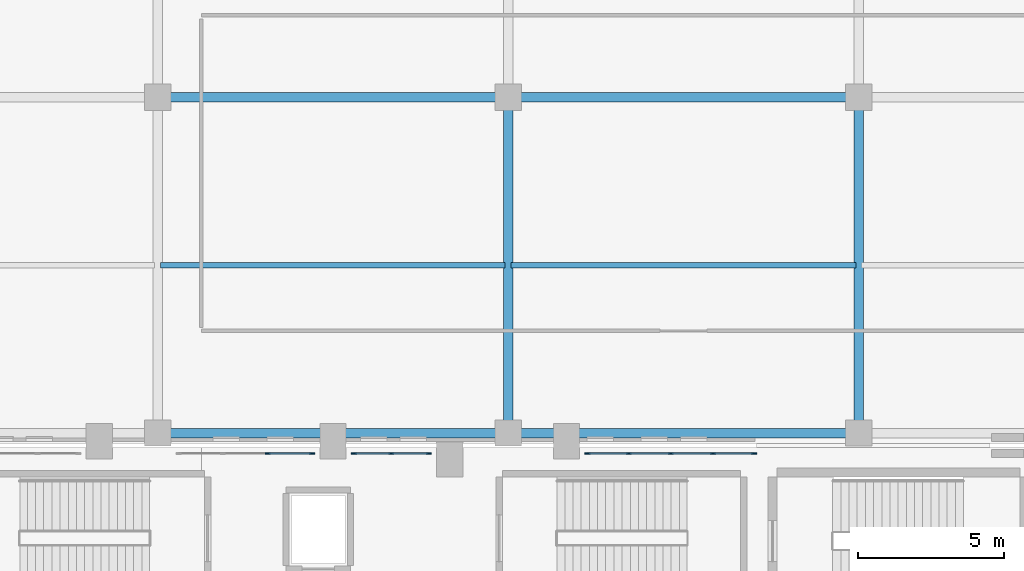
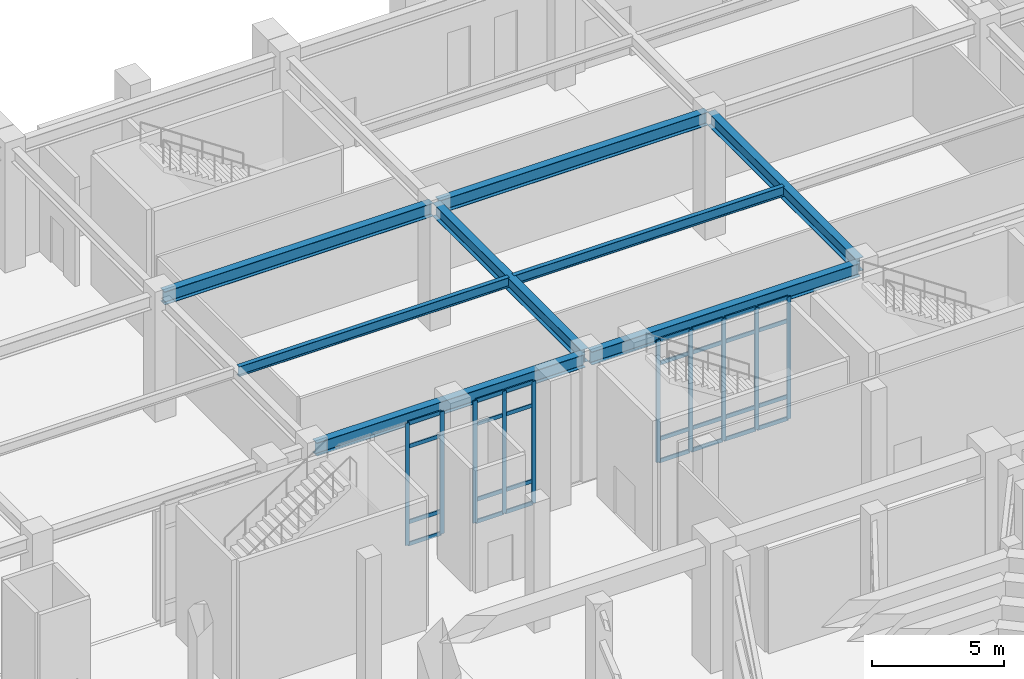
# One storey, part 52 of 143: 38 members, 8 beams, 3 elements without a shape of their own.
"""IFC4 building model written with IfcOpenShell, lengths in metres."""

from ifc_helpers import new_model, si_unit, derived_unit, direction, frame, origin, origin_2d, place, context, subcontext, project, spatial, rectangle, i_section, extrude, material, layer, layer_set, material_profile, profile_set, type_object, element, aggregate, save


model = new_model("IFC4")

# Units and contexts
model_context = context("Model", 3, precision=1e-05, world=origin(), true_north=direction((0.0, 1.0)))
body_context = subcontext(model_context, "Body", "Model", "MODEL_VIEW")
ifc_project = project(units=[si_unit("LENGTHUNIT", "METRE"), si_unit("AREAUNIT", "SQUARE_METRE"), si_unit("VOLUMEUNIT", "CUBIC_METRE"), si_unit("PLANEANGLEUNIT", "RADIAN"), si_unit("MASSUNIT", "GRAM", prefix="KILO"), derived_unit("THERMALTRANSMITTANCEUNIT", [(si_unit("MASSUNIT", "GRAM", prefix="KILO"), 1), (si_unit("TIMEUNIT", "SECOND"), -3), (si_unit("THERMODYNAMICTEMPERATUREUNIT", "KELVIN"), -1)])], contexts=[model_context])

# Site, building, storey
site_placement = place(None, origin())
site = spatial("IfcSite", under=ifc_project, at=site_placement, CompositionType="ELEMENT")
building_placement = place(site_placement, origin())
building = spatial("IfcBuilding", under=site, at=building_placement, Name="Valcora Ridge Arena", CompositionType="ELEMENT")
storey_placement = place(building_placement, origin())
storey = spatial("IfcBuildingStorey", under=building, at=storey_placement, Name="L00", CompositionType="ELEMENT", Elevation=0.0)

# Beams
ifc_material_1 = material(Name="Steel ASTM A572 Grade 50", Category="steel")
ifc_material_profile_1 = material_profile(ifc_material_1, i_section(OverallWidth=0.324951171875, OverallDepth=0.612060546875, WebThickness=0.0126953125, FlangeThickness=0.01904296875, FilletRadius=0.01806640625, at=origin_2d()), Name="W24X104")
ifc_profile_set_1 = profile_set([ifc_material_profile_1], Name="Steel ASTM A572 Grade 50")
beam_type_1 = type_object("IfcBeamType", Name="TY-BEAM-G-W24X104-X", PredefinedType="BEAM", material=ifc_profile_set_1)
for number, where, z_axis, x_axis, name in (
    (1, (60.139892578125, 108.699951171875, 5.333984375), (1.0, 0.0, 0.0), (0.0, 1.0, 0.0), "G-W24X104-X BEM-G-W24X104-X-0007"),
    (2, (72.139892578125, 108.699951171875, 5.333984375), (1.0, 0.0, 0.0), (0.0, 1.0, 0.0), "G-W24X104-X BEM-G-W24X104-X-0008"),
    (3, (60.139892578125, 120.199951171875, 5.333984375), (1.0, 0.0, 0.0), (0.0, 1.0, 0.0), "G-W24X104-X BEM-G-W24X104-X-0021"),
    (4, (72.139892578125, 120.199951171875, 5.333984375), (1.0, 0.0, 0.0), (0.0, 1.0, 0.0), "G-W24X104-X BEM-G-W24X104-X-0022"),
):
    element("IfcBeam", number, at=place(storey_placement, frame(where, z_axis=z_axis, x_axis=x_axis)), inside=storey, type_object=beam_type_1, Name=name, PredefinedType="BEAM", context=body_context, shape_type="SweptSolid", body=[
        extrude(i_section(OverallWidth=0.324951171875, OverallDepth=0.612060546875, WebThickness=0.0126953125, FlangeThickness=0.01904296875, FilletRadius=0.01806640625, at=origin_2d()), origin(), (0.0, 0.0, 1.0), 11.72021484375),
    ])
ifc_material_profile_2 = material_profile(ifc_material_1, i_section(OverallWidth=0.324951171875, OverallDepth=0.612060546875, WebThickness=0.0126953125, FlangeThickness=0.01904296875, FilletRadius=0.01806640625, at=origin_2d()), Name="W24X104")
ifc_profile_set_2 = profile_set([ifc_material_profile_2], Name="Steel ASTM A572 Grade 50")
beam_type_2 = type_object("IfcBeamType", Name="TY-BEAM-G-W24X104-Y", PredefinedType="BEAM", material=ifc_profile_set_2)
for number, where, z_axis, x_axis, name in (
    (5, (72.0, 108.840087890625, 5.333984375), (0.0, 1.0, 0.0), (-1.0, 0.0, 0.0), "G-W24X104-Y BEM-G-W24X104-Y-0008"),
    (6, (84.0, 108.840087890625, 5.333984375), (0.0, 1.0, 0.0), (-1.0, 0.0, 0.0), "G-W24X104-Y BEM-G-W24X104-Y-0010"),
):
    element("IfcBeam", number, at=place(storey_placement, frame(where, z_axis=z_axis, x_axis=x_axis)), inside=storey, type_object=beam_type_2, Name=name, PredefinedType="BEAM", context=body_context, shape_type="SweptSolid", body=[
        extrude(i_section(OverallWidth=0.324951171875, OverallDepth=0.612060546875, WebThickness=0.0126953125, FlangeThickness=0.01904296875, FilletRadius=0.01806640625, at=origin_2d()), origin(), (0.0, 0.0, 1.0), 11.219970703125),
    ])
ifc_material_profile_3 = material_profile(ifc_material_1, i_section(OverallWidth=0.18994140625, OverallDepth=0.45703125, WebThickness=0.009033203125, FlangeThickness=0.014404296875, FilletRadius=0.014892578125, at=origin_2d()), Name="W18X50")
ifc_profile_set_3 = profile_set([ifc_material_profile_3], Name="Steel ASTM A572 Grade 50")
beam_type_3 = type_object("IfcBeamType", Name="TY-BEAM-J-W18X50", PredefinedType="JOIST", material=ifc_profile_set_3)
for number, where, z_axis, x_axis, name in (
    (7, (60.10009765625, 114.449951171875, 5.41162109375), (1.0, 0.0, 0.0), (0.0, 1.0, 0.0), "J-W18X50 BEM-J-W18X50-0004"),
    (8, (72.10009765625, 114.449951171875, 5.41162109375), (1.0, 0.0, 0.0), (0.0, 1.0, 0.0), "J-W18X50 BEM-J-W18X50-0005"),
):
    element("IfcBeam", number, at=place(storey_placement, frame(where, z_axis=z_axis, x_axis=x_axis)), inside=storey, type_object=beam_type_3, Name=name, PredefinedType="JOIST", context=body_context, shape_type="SweptSolid", body=[
        extrude(i_section(OverallWidth=0.18994140625, OverallDepth=0.45703125, WebThickness=0.009033203125, FlangeThickness=0.014404296875, FilletRadius=0.014892578125, at=origin_2d()), origin(), (0.0, 0.0, 1.0), 11.7998046875),
    ])

# Curtain wall, members
ifc_material_2 = material(Name="Anodised dark bronze architectural aluminium 6063-T6", Category="aluminium")
ifc_layer_1 = layer(ifc_material_2, 0.179931640625, Name="Anodised dark bronze architectural aluminium 6063-T6")
ifc_layer_set_1 = layer_set([ifc_layer_1], Name="Anodised dark bronze architectural aluminium 6063-T6")
curtain_wall_type_1 = type_object("IfcCurtainWallType", Name="TY-CURTAINWALL-CW-V1-GOTH-046X56", PredefinedType="NOTDEFINED", material=ifc_layer_set_1)
curtain_wall_1_placement = place(storey_placement, origin())
curtain_wall_1 = element("IfcCurtainWall", 9, at=curtain_wall_1_placement, inside=storey, type_object=curtain_wall_type_1, Name="CW-V1-GOTH-046X56 CW-0089", PredefinedType="NOTDEFINED")
ifc_material_profile_4 = material_profile(ifc_material_2, rectangle(XDim=0.06005859375, YDim=0.179931640625, at=origin_2d()), Name="ALU MULLION 60x180")
ifc_profile_set_4 = profile_set([ifc_material_profile_4], Name="Anodised dark bronze architectural aluminium 6063-T6")
member_type_1 = type_object("IfcMemberType", Name="TY-MEM-CWM-60x180", PredefinedType="MULLION", material=ifc_profile_set_4)
member_1_placement = place(storey_placement, frame((63.77001953125, 108.0, 0.0), z_axis=(0.0, 0.0, 1.0), x_axis=(0.0, 1.0, 0.0)))
member_1 = element("IfcMember", 10, at=member_1_placement, type_object=member_type_1, Name="CW-0089/CWM-60x180/M02", PredefinedType="MULLION", context=body_context, shape_type="SweptSolid", body=[
    extrude(rectangle(XDim=0.06005859375, YDim=0.179931640625, at=origin_2d()), origin(), (0.0, 0.0, 1.0), 5.639892578125),
])
member_2_placement = place(storey_placement, frame((65.280029296875, 108.0, 0.0), z_axis=(0.0, 0.0, 1.0), x_axis=(0.0, 1.0, 0.0)))
member_2 = element("IfcMember", 11, at=member_2_placement, type_object=member_type_1, Name="CW-0089/CWM-60x180/M03", PredefinedType="MULLION", context=body_context, shape_type="SweptSolid", body=[
    extrude(rectangle(XDim=0.06005859375, YDim=0.179931640625, at=origin_2d()), origin(), (0.0, 0.0, 1.0), 5.639892578125),
])

ifc_layer_2 = layer(ifc_material_2, 0.179931640625, Name="Anodised dark bronze architectural aluminium 6063-T6")
ifc_layer_set_2 = layer_set([ifc_layer_2], Name="Anodised dark bronze architectural aluminium 6063-T6")
curtain_wall_type_2 = type_object("IfcCurtainWallType", Name="TY-CURTAINWALL-CW-V1-GOTH-026X56", PredefinedType="NOTDEFINED", material=ifc_layer_set_2)
curtain_wall_2_placement = place(storey_placement, origin())
curtain_wall_2 = element("IfcCurtainWall", 12, at=curtain_wall_2_placement, inside=storey, type_object=curtain_wall_type_2, Name="CW-V1-GOTH-026X56 CW-0090", PredefinedType="NOTDEFINED")
member_3_placement = place(storey_placement, frame((66.719970703125, 108.0, 0.0), z_axis=(0.0, 0.0, 1.0), x_axis=(0.0, 1.0, 0.0)))
member_3 = element("IfcMember", 13, at=member_3_placement, type_object=member_type_1, Name="CW-0090/CWM-60x180/M00", PredefinedType="MULLION", context=body_context, shape_type="SweptSolid", body=[
    extrude(rectangle(XDim=0.06005859375, YDim=0.179931640625, at=origin_2d()), origin(), (0.0, 0.0, 1.0), 5.639892578125),
])
member_4_placement = place(storey_placement, frame((68.0, 108.0, 0.0), z_axis=(0.0, 0.0, 1.0), x_axis=(0.0, 1.0, 0.0)))
member_4 = element("IfcMember", 14, at=member_4_placement, type_object=member_type_1, Name="CW-0090/CWM-60x180/M01", PredefinedType="MULLION", context=body_context, shape_type="SweptSolid", body=[
    extrude(rectangle(XDim=0.06005859375, YDim=0.179931640625, at=origin_2d()), origin(), (0.0, 0.0, 1.0), 5.639892578125),
])
member_5_placement = place(storey_placement, frame((69.280029296875, 108.0, 0.0), z_axis=(0.0, 0.0, 1.0), x_axis=(0.0, 1.0, 0.0)))
member_5 = element("IfcMember", 15, at=member_5_placement, type_object=member_type_1, Name="CW-0090/CWM-60x180/M02", PredefinedType="MULLION", context=body_context, shape_type="SweptSolid", body=[
    extrude(rectangle(XDim=0.06005859375, YDim=0.179931640625, at=origin_2d()), origin(), (0.0, 0.0, 1.0), 5.639892578125),
])

ifc_layer_3 = layer(ifc_material_2, 0.179931640625, Name="Anodised dark bronze architectural aluminium 6063-T6")
ifc_layer_set_3 = layer_set([ifc_layer_3], Name="Anodised dark bronze architectural aluminium 6063-T6")
curtain_wall_type_3 = type_object("IfcCurtainWallType", Name="TY-CURTAINWALL-CW-V1-GOTH-058X56", PredefinedType="NOTDEFINED", material=ifc_layer_set_3)
curtain_wall_3_placement = place(storey_placement, origin())
curtain_wall_3 = element("IfcCurtainWall", 16, at=curtain_wall_3_placement, inside=storey, type_object=curtain_wall_type_3, Name="CW-V1-GOTH-058X56 CW-0091", PredefinedType="NOTDEFINED")
member_6_placement = place(storey_placement, frame((74.719970703125, 108.0, 0.0), z_axis=(0.0, 0.0, 1.0), x_axis=(0.0, 1.0, 0.0)))
member_6 = element("IfcMember", 17, at=member_6_placement, type_object=member_type_1, Name="CW-0091/CWM-60x180/M00", PredefinedType="MULLION", context=body_context, shape_type="SweptSolid", body=[
    extrude(rectangle(XDim=0.06005859375, YDim=0.179931640625, at=origin_2d()), origin(), (0.0, 0.0, 1.0), 5.639892578125),
])
member_7_placement = place(storey_placement, frame((76.1298828125, 108.0, 0.0), z_axis=(0.0, 0.0, 1.0), x_axis=(0.0, 1.0, 0.0)))
member_7 = element("IfcMember", 18, at=member_7_placement, type_object=member_type_1, Name="CW-0091/CWM-60x180/M01", PredefinedType="MULLION", context=body_context, shape_type="SweptSolid", body=[
    extrude(rectangle(XDim=0.06005859375, YDim=0.179931640625, at=origin_2d()), origin(), (0.0, 0.0, 1.0), 5.639892578125),
])
member_8_placement = place(storey_placement, frame((77.570068359375, 108.0, 0.0), z_axis=(0.0, 0.0, 1.0), x_axis=(0.0, 1.0, 0.0)))
member_8 = element("IfcMember", 19, at=member_8_placement, type_object=member_type_1, Name="CW-0091/CWM-60x180/M02", PredefinedType="MULLION", context=body_context, shape_type="SweptSolid", body=[
    extrude(rectangle(XDim=0.06005859375, YDim=0.179931640625, at=origin_2d()), origin(), (0.0, 0.0, 1.0), 5.639892578125),
])
member_9_placement = place(storey_placement, frame((79.010009765625, 108.0, 0.0), z_axis=(0.0, 0.0, 1.0), x_axis=(0.0, 1.0, 0.0)))
member_9 = element("IfcMember", 20, at=member_9_placement, type_object=member_type_1, Name="CW-0091/CWM-60x180/M03", PredefinedType="MULLION", context=body_context, shape_type="SweptSolid", body=[
    extrude(rectangle(XDim=0.06005859375, YDim=0.179931640625, at=origin_2d()), origin(), (0.0, 0.0, 1.0), 5.639892578125),
])
member_10_placement = place(storey_placement, frame((80.419921875, 108.0, 0.0), z_axis=(0.0, 0.0, 1.0), x_axis=(0.0, 1.0, 0.0)))
member_10 = element("IfcMember", 21, at=member_10_placement, type_object=member_type_1, Name="CW-0091/CWM-60x180/M04", PredefinedType="MULLION", context=body_context, shape_type="SweptSolid", body=[
    extrude(rectangle(XDim=0.06005859375, YDim=0.179931640625, at=origin_2d()), origin(), (0.0, 0.0, 1.0), 5.639892578125),
])

# Member
ifc_material_profile_5 = material_profile(ifc_material_2, rectangle(XDim=0.06005859375, YDim=0.179931640625, at=origin_2d()), Name="ALU TRANSOM 60x180")
ifc_profile_set_5 = profile_set([ifc_material_profile_5], Name="Anodised dark bronze architectural aluminium 6063-T6")
member_type_2 = type_object("IfcMemberType", Name="TY-MEM-CWT-60x180", PredefinedType="USERDEFINED", material=ifc_profile_set_5)
member_11_placement = place(storey_placement, frame((63.800048828125, 108.0, 0.030029296875), z_axis=(1.0, 0.0, 0.0), x_axis=(0.0, 1.0, 0.0)))
member_11 = element("IfcMember", 22, at=member_11_placement, type_object=member_type_2, Name="CW-0089/CWT-60x180/T02-00", ObjectType="TRANSOM", PredefinedType="USERDEFINED", context=body_context, shape_type="SweptSolid", body=[
    extrude(rectangle(XDim=0.06005859375, YDim=0.179931640625, at=origin_2d()), origin(), (0.0, 0.0, 1.0), 1.449951171875),
])

member_12_placement = place(storey_placement, frame((63.800048828125, 108.0, 1.050048828125), z_axis=(1.0, 0.0, 0.0), x_axis=(0.0, 1.0, 0.0)))
member_12 = element("IfcMember", 23, at=member_12_placement, type_object=member_type_2, Name="CW-0089/CWT-60x180/T02-01", ObjectType="TRANSOM", PredefinedType="USERDEFINED", context=body_context, shape_type="SweptSolid", body=[
    extrude(rectangle(XDim=0.06005859375, YDim=0.179931640625, at=origin_2d()), origin(), (0.0, 0.0, 1.0), 1.449951171875),
])

member_13_placement = place(storey_placement, frame((63.800048828125, 108.0, 4.5400390625), z_axis=(1.0, 0.0, 0.0), x_axis=(0.0, 1.0, 0.0)))
member_13 = element("IfcMember", 24, at=member_13_placement, type_object=member_type_2, Name="CW-0089/CWT-60x180/T02-02", ObjectType="TRANSOM", PredefinedType="USERDEFINED", context=body_context, shape_type="SweptSolid", body=[
    extrude(rectangle(XDim=0.06005859375, YDim=0.179931640625, at=origin_2d()), origin(), (0.0, 0.0, 1.0), 1.449951171875),
])

member_14_placement = place(storey_placement, frame((63.800048828125, 108.0, 5.610107421875), z_axis=(1.0, 0.0, 0.0), x_axis=(0.0, 1.0, 0.0)))
member_14 = element("IfcMember", 25, at=member_14_placement, type_object=member_type_2, Name="CW-0089/CWT-60x180/T02-03", ObjectType="TRANSOM", PredefinedType="USERDEFINED", context=body_context, shape_type="SweptSolid", body=[
    extrude(rectangle(XDim=0.06005859375, YDim=0.179931640625, at=origin_2d()), origin(), (0.0, 0.0, 1.0), 1.449951171875),
])

aggregate(curtain_wall_1, [member_1, member_2, member_11, member_12, member_13, member_14])

member_15_placement = place(storey_placement, frame((66.75, 108.0, 0.030029296875), z_axis=(1.0, 0.0, 0.0), x_axis=(0.0, 1.0, 0.0)))
member_15 = element("IfcMember", 26, at=member_15_placement, type_object=member_type_2, Name="CW-0090/CWT-60x180/T00-00", ObjectType="TRANSOM", PredefinedType="USERDEFINED", context=body_context, shape_type="SweptSolid", body=[
    extrude(rectangle(XDim=0.06005859375, YDim=0.179931640625, at=origin_2d()), origin(), (0.0, 0.0, 1.0), 1.219970703125),
])

member_16_placement = place(storey_placement, frame((66.75, 108.0, 1.050048828125), z_axis=(1.0, 0.0, 0.0), x_axis=(0.0, 1.0, 0.0)))
member_16 = element("IfcMember", 27, at=member_16_placement, type_object=member_type_2, Name="CW-0090/CWT-60x180/T00-01", ObjectType="TRANSOM", PredefinedType="USERDEFINED", context=body_context, shape_type="SweptSolid", body=[
    extrude(rectangle(XDim=0.06005859375, YDim=0.179931640625, at=origin_2d()), origin(), (0.0, 0.0, 1.0), 1.219970703125),
])

member_17_placement = place(storey_placement, frame((66.75, 108.0, 4.5400390625), z_axis=(1.0, 0.0, 0.0), x_axis=(0.0, 1.0, 0.0)))
member_17 = element("IfcMember", 28, at=member_17_placement, type_object=member_type_2, Name="CW-0090/CWT-60x180/T00-02", ObjectType="TRANSOM", PredefinedType="USERDEFINED", context=body_context, shape_type="SweptSolid", body=[
    extrude(rectangle(XDim=0.06005859375, YDim=0.179931640625, at=origin_2d()), origin(), (0.0, 0.0, 1.0), 1.219970703125),
])

member_18_placement = place(storey_placement, frame((66.75, 108.0, 5.610107421875), z_axis=(1.0, 0.0, 0.0), x_axis=(0.0, 1.0, 0.0)))
member_18 = element("IfcMember", 29, at=member_18_placement, type_object=member_type_2, Name="CW-0090/CWT-60x180/T00-03", ObjectType="TRANSOM", PredefinedType="USERDEFINED", context=body_context, shape_type="SweptSolid", body=[
    extrude(rectangle(XDim=0.06005859375, YDim=0.179931640625, at=origin_2d()), origin(), (0.0, 0.0, 1.0), 1.219970703125),
])

member_19_placement = place(storey_placement, frame((68.030029296875, 108.0, 0.030029296875), z_axis=(1.0, 0.0, 0.0), x_axis=(0.0, 1.0, 0.0)))
member_19 = element("IfcMember", 30, at=member_19_placement, type_object=member_type_2, Name="CW-0090/CWT-60x180/T01-00", ObjectType="TRANSOM", PredefinedType="USERDEFINED", context=body_context, shape_type="SweptSolid", body=[
    extrude(rectangle(XDim=0.06005859375, YDim=0.179931640625, at=origin_2d()), origin(), (0.0, 0.0, 1.0), 1.219970703125),
])

member_20_placement = place(storey_placement, frame((68.030029296875, 108.0, 1.050048828125), z_axis=(1.0, 0.0, 0.0), x_axis=(0.0, 1.0, 0.0)))
member_20 = element("IfcMember", 31, at=member_20_placement, type_object=member_type_2, Name="CW-0090/CWT-60x180/T01-01", ObjectType="TRANSOM", PredefinedType="USERDEFINED", context=body_context, shape_type="SweptSolid", body=[
    extrude(rectangle(XDim=0.06005859375, YDim=0.179931640625, at=origin_2d()), origin(), (0.0, 0.0, 1.0), 1.219970703125),
])

member_21_placement = place(storey_placement, frame((68.030029296875, 108.0, 4.5400390625), z_axis=(1.0, 0.0, 0.0), x_axis=(0.0, 1.0, 0.0)))
member_21 = element("IfcMember", 32, at=member_21_placement, type_object=member_type_2, Name="CW-0090/CWT-60x180/T01-02", ObjectType="TRANSOM", PredefinedType="USERDEFINED", context=body_context, shape_type="SweptSolid", body=[
    extrude(rectangle(XDim=0.06005859375, YDim=0.179931640625, at=origin_2d()), origin(), (0.0, 0.0, 1.0), 1.219970703125),
])

member_22_placement = place(storey_placement, frame((68.030029296875, 108.0, 5.610107421875), z_axis=(1.0, 0.0, 0.0), x_axis=(0.0, 1.0, 0.0)))
member_22 = element("IfcMember", 33, at=member_22_placement, type_object=member_type_2, Name="CW-0090/CWT-60x180/T01-03", ObjectType="TRANSOM", PredefinedType="USERDEFINED", context=body_context, shape_type="SweptSolid", body=[
    extrude(rectangle(XDim=0.06005859375, YDim=0.179931640625, at=origin_2d()), origin(), (0.0, 0.0, 1.0), 1.219970703125),
])

aggregate(curtain_wall_2, [member_3, member_4, member_5, member_15, member_16, member_17, member_18, member_19, member_20, member_21, member_22])

member_23_placement = place(storey_placement, frame((74.75, 108.0, 0.030029296875), z_axis=(1.0, 0.0, 0.0), x_axis=(0.0, 1.0, 0.0)))
member_23 = element("IfcMember", 34, at=member_23_placement, type_object=member_type_2, Name="CW-0091/CWT-60x180/T00-00", ObjectType="TRANSOM", PredefinedType="USERDEFINED", context=body_context, shape_type="SweptSolid", body=[
    extrude(rectangle(XDim=0.06005859375, YDim=0.179931640625, at=origin_2d()), origin(), (0.0, 0.0, 1.0), 1.35009765625),
])

member_24_placement = place(storey_placement, frame((74.75, 108.0, 1.050048828125), z_axis=(1.0, 0.0, 0.0), x_axis=(0.0, 1.0, 0.0)))
member_24 = element("IfcMember", 35, at=member_24_placement, type_object=member_type_2, Name="CW-0091/CWT-60x180/T00-01", ObjectType="TRANSOM", PredefinedType="USERDEFINED", context=body_context, shape_type="SweptSolid", body=[
    extrude(rectangle(XDim=0.06005859375, YDim=0.179931640625, at=origin_2d()), origin(), (0.0, 0.0, 1.0), 1.35009765625),
])

member_25_placement = place(storey_placement, frame((74.75, 108.0, 4.5400390625), z_axis=(1.0, 0.0, 0.0), x_axis=(0.0, 1.0, 0.0)))
member_25 = element("IfcMember", 36, at=member_25_placement, type_object=member_type_2, Name="CW-0091/CWT-60x180/T00-02", ObjectType="TRANSOM", PredefinedType="USERDEFINED", context=body_context, shape_type="SweptSolid", body=[
    extrude(rectangle(XDim=0.06005859375, YDim=0.179931640625, at=origin_2d()), origin(), (0.0, 0.0, 1.0), 1.35009765625),
])

member_26_placement = place(storey_placement, frame((74.75, 108.0, 5.610107421875), z_axis=(1.0, 0.0, 0.0), x_axis=(0.0, 1.0, 0.0)))
member_26 = element("IfcMember", 37, at=member_26_placement, type_object=member_type_2, Name="CW-0091/CWT-60x180/T00-03", ObjectType="TRANSOM", PredefinedType="USERDEFINED", context=body_context, shape_type="SweptSolid", body=[
    extrude(rectangle(XDim=0.06005859375, YDim=0.179931640625, at=origin_2d()), origin(), (0.0, 0.0, 1.0), 1.35009765625),
])

member_27_placement = place(storey_placement, frame((76.159912109375, 108.0, 0.030029296875), z_axis=(1.0, 0.0, 0.0), x_axis=(0.0, 1.0, 0.0)))
member_27 = element("IfcMember", 38, at=member_27_placement, type_object=member_type_2, Name="CW-0091/CWT-60x180/T01-00", ObjectType="TRANSOM", PredefinedType="USERDEFINED", context=body_context, shape_type="SweptSolid", body=[
    extrude(rectangle(XDim=0.06005859375, YDim=0.179931640625, at=origin_2d()), origin(), (0.0, 0.0, 1.0), 1.380126953125),
])

member_28_placement = place(storey_placement, frame((76.159912109375, 108.0, 1.050048828125), z_axis=(1.0, 0.0, 0.0), x_axis=(0.0, 1.0, 0.0)))
member_28 = element("IfcMember", 39, at=member_28_placement, type_object=member_type_2, Name="CW-0091/CWT-60x180/T01-01", ObjectType="TRANSOM", PredefinedType="USERDEFINED", context=body_context, shape_type="SweptSolid", body=[
    extrude(rectangle(XDim=0.06005859375, YDim=0.179931640625, at=origin_2d()), origin(), (0.0, 0.0, 1.0), 1.380126953125),
])

member_29_placement = place(storey_placement, frame((76.159912109375, 108.0, 4.5400390625), z_axis=(1.0, 0.0, 0.0), x_axis=(0.0, 1.0, 0.0)))
member_29 = element("IfcMember", 40, at=member_29_placement, type_object=member_type_2, Name="CW-0091/CWT-60x180/T01-02", ObjectType="TRANSOM", PredefinedType="USERDEFINED", context=body_context, shape_type="SweptSolid", body=[
    extrude(rectangle(XDim=0.06005859375, YDim=0.179931640625, at=origin_2d()), origin(), (0.0, 0.0, 1.0), 1.380126953125),
])

member_30_placement = place(storey_placement, frame((76.159912109375, 108.0, 5.610107421875), z_axis=(1.0, 0.0, 0.0), x_axis=(0.0, 1.0, 0.0)))
member_30 = element("IfcMember", 41, at=member_30_placement, type_object=member_type_2, Name="CW-0091/CWT-60x180/T01-03", ObjectType="TRANSOM", PredefinedType="USERDEFINED", context=body_context, shape_type="SweptSolid", body=[
    extrude(rectangle(XDim=0.06005859375, YDim=0.179931640625, at=origin_2d()), origin(), (0.0, 0.0, 1.0), 1.380126953125),
])

member_31_placement = place(storey_placement, frame((77.60009765625, 108.0, 0.030029296875), z_axis=(1.0, 0.0, 0.0), x_axis=(0.0, 1.0, 0.0)))
member_31 = element("IfcMember", 42, at=member_31_placement, type_object=member_type_2, Name="CW-0091/CWT-60x180/T02-00", ObjectType="TRANSOM", PredefinedType="USERDEFINED", context=body_context, shape_type="SweptSolid", body=[
    extrude(rectangle(XDim=0.06005859375, YDim=0.179931640625, at=origin_2d()), origin(), (0.0, 0.0, 1.0), 1.3798828125),
])

member_32_placement = place(storey_placement, frame((77.60009765625, 108.0, 1.050048828125), z_axis=(1.0, 0.0, 0.0), x_axis=(0.0, 1.0, 0.0)))
member_32 = element("IfcMember", 43, at=member_32_placement, type_object=member_type_2, Name="CW-0091/CWT-60x180/T02-01", ObjectType="TRANSOM", PredefinedType="USERDEFINED", context=body_context, shape_type="SweptSolid", body=[
    extrude(rectangle(XDim=0.06005859375, YDim=0.179931640625, at=origin_2d()), origin(), (0.0, 0.0, 1.0), 1.3798828125),
])

member_33_placement = place(storey_placement, frame((77.60009765625, 108.0, 4.5400390625), z_axis=(1.0, 0.0, 0.0), x_axis=(0.0, 1.0, 0.0)))
member_33 = element("IfcMember", 44, at=member_33_placement, type_object=member_type_2, Name="CW-0091/CWT-60x180/T02-02", ObjectType="TRANSOM", PredefinedType="USERDEFINED", context=body_context, shape_type="SweptSolid", body=[
    extrude(rectangle(XDim=0.06005859375, YDim=0.179931640625, at=origin_2d()), origin(), (0.0, 0.0, 1.0), 1.3798828125),
])

member_34_placement = place(storey_placement, frame((77.60009765625, 108.0, 5.610107421875), z_axis=(1.0, 0.0, 0.0), x_axis=(0.0, 1.0, 0.0)))
member_34 = element("IfcMember", 45, at=member_34_placement, type_object=member_type_2, Name="CW-0091/CWT-60x180/T02-03", ObjectType="TRANSOM", PredefinedType="USERDEFINED", context=body_context, shape_type="SweptSolid", body=[
    extrude(rectangle(XDim=0.06005859375, YDim=0.179931640625, at=origin_2d()), origin(), (0.0, 0.0, 1.0), 1.3798828125),
])

member_35_placement = place(storey_placement, frame((79.0400390625, 108.0, 0.030029296875), z_axis=(1.0, 0.0, 0.0), x_axis=(0.0, 1.0, 0.0)))
member_35 = element("IfcMember", 46, at=member_35_placement, type_object=member_type_2, Name="CW-0091/CWT-60x180/T03-00", ObjectType="TRANSOM", PredefinedType="USERDEFINED", context=body_context, shape_type="SweptSolid", body=[
    extrude(rectangle(XDim=0.06005859375, YDim=0.179931640625, at=origin_2d()), origin(), (0.0, 0.0, 1.0), 1.349853515625),
])

member_36_placement = place(storey_placement, frame((79.0400390625, 108.0, 1.050048828125), z_axis=(1.0, 0.0, 0.0), x_axis=(0.0, 1.0, 0.0)))
member_36 = element("IfcMember", 47, at=member_36_placement, type_object=member_type_2, Name="CW-0091/CWT-60x180/T03-01", ObjectType="TRANSOM", PredefinedType="USERDEFINED", context=body_context, shape_type="SweptSolid", body=[
    extrude(rectangle(XDim=0.06005859375, YDim=0.179931640625, at=origin_2d()), origin(), (0.0, 0.0, 1.0), 1.349853515625),
])

member_37_placement = place(storey_placement, frame((79.0400390625, 108.0, 4.5400390625), z_axis=(1.0, 0.0, 0.0), x_axis=(0.0, 1.0, 0.0)))
member_37 = element("IfcMember", 48, at=member_37_placement, type_object=member_type_2, Name="CW-0091/CWT-60x180/T03-02", ObjectType="TRANSOM", PredefinedType="USERDEFINED", context=body_context, shape_type="SweptSolid", body=[
    extrude(rectangle(XDim=0.06005859375, YDim=0.179931640625, at=origin_2d()), origin(), (0.0, 0.0, 1.0), 1.349853515625),
])

member_38_placement = place(storey_placement, frame((79.0400390625, 108.0, 5.610107421875), z_axis=(1.0, 0.0, 0.0), x_axis=(0.0, 1.0, 0.0)))
member_38 = element("IfcMember", 49, at=member_38_placement, type_object=member_type_2, Name="CW-0091/CWT-60x180/T03-03", ObjectType="TRANSOM", PredefinedType="USERDEFINED", context=body_context, shape_type="SweptSolid", body=[
    extrude(rectangle(XDim=0.06005859375, YDim=0.179931640625, at=origin_2d()), origin(), (0.0, 0.0, 1.0), 1.349853515625),
])

aggregate(curtain_wall_3, [member_6, member_7, member_8, member_9, member_10, member_23, member_24, member_25, member_26, member_27, member_28, member_29, member_30, member_31, member_32, member_33, member_34, member_35, member_36, member_37, member_38])

save(model, "model.ifc")
